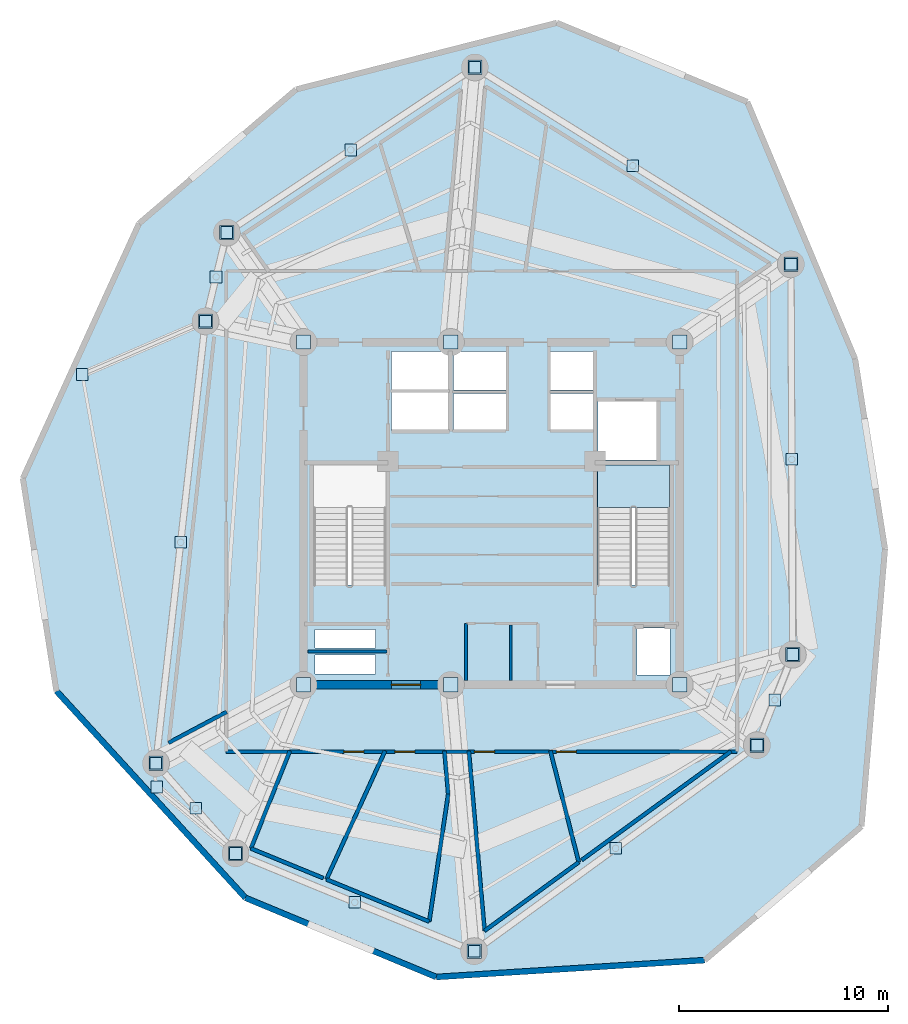
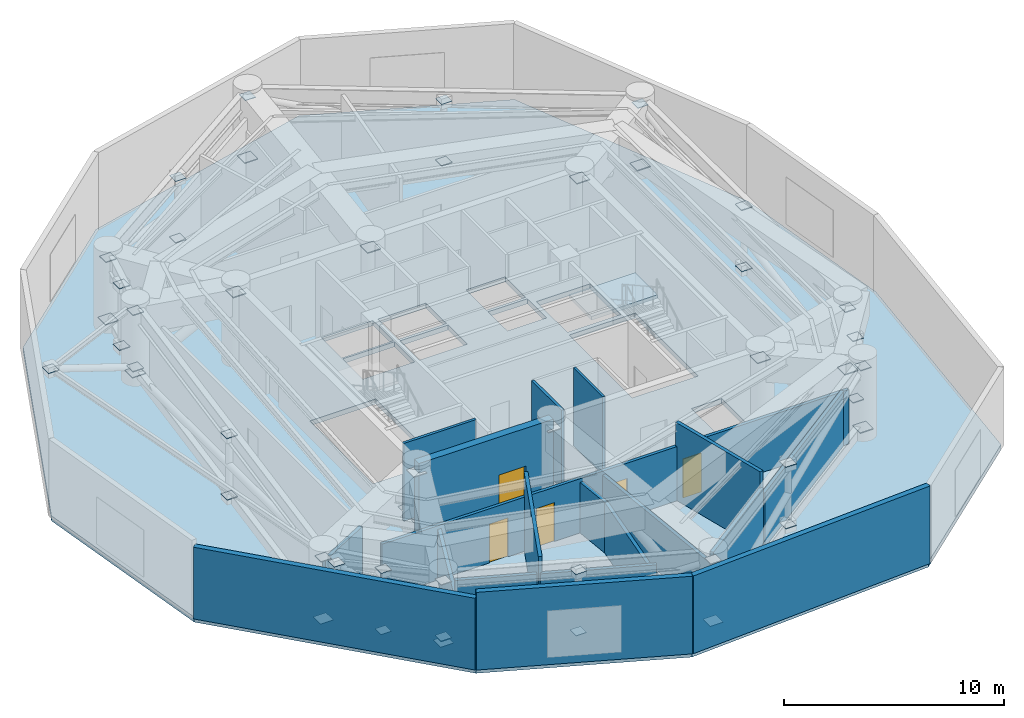
# One storey, part 5 of 11: 46 plates, 19 walls, 5 doors, 2 slabs, 5 openings, 1 element without a shape of its own.
"""IFC4 building model written with IfcOpenShell, lengths in metres."""

from ifc_helpers import new_model, si_unit, direction, frame, frame_2d, origin, origin_with_axes, origin_2d, place, context, subcontext, project, spatial, polyline, rectangle, outline, extrude, source, transform, mapped, material, layer, layer_set, type_object, element, fill, aggregate, save


model = new_model("IFC4")

# Units and contexts
model_context = context("Model", 3, precision=1e-05, world=origin(), true_north=direction((0.0, 1.0)))
body_context = subcontext(model_context, "Body", "Model", "MODEL_VIEW")
ifc_project = project(units=[si_unit("LENGTHUNIT", "METRE"), si_unit("AREAUNIT", "SQUARE_METRE"), si_unit("VOLUMEUNIT", "CUBIC_METRE"), si_unit("PLANEANGLEUNIT", "RADIAN"), si_unit("MASSUNIT", "GRAM", prefix="KILO")], contexts=[model_context])

# Site, building, storey
site_placement = place(None, origin())
site = spatial("IfcSite", under=ifc_project, at=site_placement, CompositionType="ELEMENT")
building_placement = place(site_placement, origin())
building = spatial("IfcBuilding", under=site, at=building_placement, Name="Karkom Vertical University and Central Library", CompositionType="ELEMENT")
storey_placement = place(building_placement, frame((0.0, 0.0, 208.39990234375)))
storey = spatial("IfcBuildingStorey", under=building, at=storey_placement, Name="P61", CompositionType="ELEMENT", Elevation=208.39990234375)

# Stair, slab
ifc_material_1 = material(Name="Concrete C45/55", Category="concrete")
stair_type = type_object("IfcStairType", Name="INT-STR-ST-MAIN", PredefinedType="HALF_TURN_STAIR", material=ifc_material_1)
stair_placement = place(storey_placement, origin())
stair = element("IfcStair", 1, at=stair_placement, inside=storey, type_object=stair_type, Name="Plant Level 61 Tower Protected Exit Stair ST-2", PredefinedType="HALF_TURN_STAIR")
ifc_layer_1 = layer(ifc_material_1, 0.199951171875)
ifc_layer_set_1 = layer_set([ifc_layer_1], Name="Concrete C45/55")
slab_type_1 = type_object("IfcSlabType", Name="INT-SLB-LANDING", PredefinedType="LANDING", material=ifc_layer_set_1)
slab_1_placement = place(storey_placement, frame((0.0, 0.0, 2.050048828125)))
slab_1 = element("IfcSlab", 2, at=slab_1_placement, type_object=slab_type_1, Name="ST-2 landing 1", PredefinedType="LANDING", context=body_context, shape_type="SweptSolid", body=[
    extrude(outline(polyline([(37.02001953125, 26.7900390625), (37.02001953125, 28.820068359375), (33.56005859375, 28.820068359375), (33.56005859375, 26.7900390625), (37.02001953125, 26.7900390625)])), origin(), (0.0, 0.0, 1.0), 0.199951171875),
])
aggregate(stair, [slab_1])

# Slab
ifc_layer_2 = layer(ifc_material_1, 0.27490234375)
ifc_layer_set_2 = layer_set([ifc_layer_2], Name="Concrete C45/55")
slab_type_2 = type_object("IfcSlabType", Name="STR-SLB-FLR-275", PredefinedType="FLOOR", material=ifc_layer_set_2)
slab_2_placement = place(storey_placement, frame((0.0, 0.0, -0.27490234375)))
element("IfcSlab", 3, at=slab_2_placement, inside=storey, type_object=slab_type_2, Name="Plant Level 61 Tower Structural Floor Slab", PredefinedType="FLOOR", context=body_context, shape_type="SweptSolid", body=[
    extrude(outline(polyline([(6.0712890625, 28.180419921875), (7.676513671875, 18.000244140625), (16.720703125, 8.1044921875), (25.846923828125, 4.3154296875), (38.697265625, 5.121337890625), (46.198974609375, 11.520751953125), (47.324462890625, 24.810546875), (45.891357421875, 33.899658203125), (40.731201171875, 46.1982421875), (31.62451171875, 49.97900390625), (19.14990234375, 46.7919921875), (11.632080078125, 40.37890625), (6.0712890625, 28.180419921875)]), holes=[polyline([(19.97998046875, 23.0849609375), (23.43994140625, 23.0849609375), (23.43994140625, 28.820068359375), (19.97998046875, 28.820068359375), (19.97998046875, 23.0849609375)]), polyline([(33.56005859375, 23.0849609375), (37.02001953125, 23.0849609375), (37.02001953125, 28.820068359375), (33.56005859375, 28.820068359375), (33.56005859375, 23.0849609375)]), polyline([(26.679931640625, 30.5), (29.199951171875, 30.5), (29.199951171875, 32.25), (26.679931640625, 32.25), (26.679931640625, 30.5)]), polyline([(26.679931640625, 32.39990234375), (29.199951171875, 32.39990234375), (29.199951171875, 34.25), (26.679931640625, 34.25), (26.679931640625, 32.39990234375)]), polyline([(31.300048828125, 30.5), (33.35009765625, 30.5), (33.35009765625, 32.25), (31.300048828125, 32.25), (31.300048828125, 30.5)]), polyline([(31.300048828125, 32.39990234375), (33.35009765625, 32.39990234375), (33.35009765625, 34.25), (31.300048828125, 34.25), (31.300048828125, 32.39990234375)]), polyline([(23.719970703125, 30.47998046875), (26.429931640625, 30.47998046875), (26.429931640625, 32.320068359375), (23.719970703125, 32.320068359375), (23.719970703125, 30.47998046875)]), polyline([(23.719970703125, 32.419921875), (26.429931640625, 32.419921875), (26.429931640625, 34.260009765625), (23.719970703125, 34.260009765625), (23.719970703125, 32.419921875)]), polyline([(33.60009765625, 29.050048828125), (36.39990234375, 29.050048828125), (36.39990234375, 31.85009765625), (33.60009765625, 31.85009765625), (33.60009765625, 29.050048828125)]), polyline([(20.050048828125, 18.820068359375), (22.949951171875, 18.820068359375), (22.949951171875, 19.719970703125), (20.050048828125, 19.719970703125), (20.050048828125, 18.820068359375)]), polyline([(20.050048828125, 20.06005859375), (22.949951171875, 20.06005859375), (22.949951171875, 20.9599609375), (20.050048828125, 20.9599609375), (20.050048828125, 20.06005859375)]), polyline([(35.4599609375, 18.760009765625), (37.0400390625, 18.760009765625), (37.0400390625, 21.010009765625), (35.4599609375, 21.010009765625), (35.4599609375, 18.760009765625)])]), origin(), (0.0, 0.0, 1.0), 0.27490234375),
])

# Plates
ifc_material_2 = material(Name="Steel S355", Category="steel")
ifc_layer_3 = layer(ifc_material_2, 0.028076171875)
ifc_layer_set_3 = layer_set([ifc_layer_3], Name="Steel S355")
plate_type_1 = type_object("IfcPlateType", Name="STR-PLT-GP-2", PredefinedType="USERDEFINED", material=ifc_layer_set_3)
shared_shape_1 = source(origin_with_axes(), body_context, "Body", "SweptSolid", [
    extrude(rectangle(XDim=0.56005859375, YDim=0.56005859375, at=origin_2d()), origin(), (0.0, 0.0, 1.0), 0.028076171875),
])
for number, where, z_axis, x_axis, name in (
    (4, (14.804931640625, 35.697998046875, 0.6162109375), (0.0, 0.0, 1.0), (1.0, 0.0, 0.0), "Plant Level 61 Node Gusset Cap Plate P61-SKG-KNEE-1 A"),
    (5, (8.9130859375, 33.153564453125, 4.12109375), (0.0, 0.0, 1.0), (1.0, 0.0, 0.0), "Plant Level 61 Node Gusset Cap Plate P61-SKG-KNEE-1 B"),
    (6, (16.240966796875, 10.23388671875, 0.6162109375), (0.0, 0.0, 1.0), (1.0, 0.0, 0.0), "Plant Level 61 Node Gusset Cap Plate P61-SKG-KNEE-2 A"),
    (7, (12.47900390625, 13.413818359375, 4.12109375), (0.0, 0.0, 1.0), (1.0, 0.0, 0.0), "Plant Level 61 Node Gusset Cap Plate P61-SKG-KNEE-2 B"),
    (8, (42.823974609375, 38.427978515625, 3.73583984375), (0.0, 0.0, 1.0), (1.0, 0.0, 0.0), "Plant Level 61 Node Gusset Cap Plate P61-BELT-BRACE-01 B"),
    (9, (42.866455078125, 29.08837890625, 0.3359375), (0.0, 0.0, 1.0), (1.0, 0.0, 0.0), "Plant Level 61 Node Gusset Cap Plate P61-BELT-POST-01 A"),
    (10, (42.866455078125, 29.08837890625, 3.73583984375), (0.0, 0.0, 1.0), (1.0, 0.0, 0.0), "Plant Level 61 Node Gusset Cap Plate P61-BELT-POST-01 B"),
    (11, (27.699951171875, 47.85009765625, 3.73583984375), (0.0, 0.0, 1.0), (1.0, 0.0, 0.0), "Plant Level 61 Node Gusset Cap Plate P61-BELT-BRACE-02 B"),
    (12, (35.261962890625, 43.138916015625, 0.3359375), (0.0, 0.0, 1.0), (1.0, 0.0, 0.0), "Plant Level 61 Node Gusset Cap Plate P61-BELT-POST-02 A"),
    (13, (35.261962890625, 43.138916015625, 3.73583984375), (0.0, 0.0, 1.0), (1.0, 0.0, 0.0), "Plant Level 61 Node Gusset Cap Plate P61-BELT-POST-02 B"),
    (14, (15.8291015625, 39.943115234375, 3.73583984375), (0.0, 0.0, 1.0), (1.0, 0.0, 0.0), "Plant Level 61 Node Gusset Cap Plate P61-BELT-BRACE-03 B"),
    (15, (21.764404296875, 43.896484375, 0.3359375), (0.0, 0.0, 1.0), (1.0, 0.0, 0.0), "Plant Level 61 Node Gusset Cap Plate P61-BELT-POST-03 A"),
    (16, (21.764404296875, 43.896484375, 3.73583984375), (0.0, 0.0, 1.0), (1.0, 0.0, 0.0), "Plant Level 61 Node Gusset Cap Plate P61-BELT-POST-03 B"),
    (17, (14.804931640625, 35.697998046875, 3.73583984375), (0.0, 0.0, 1.0), (1.0, 0.0, 0.0), "Plant Level 61 Node Gusset Cap Plate P61-BELT-BRACE-04 B"),
    (18, (15.31689453125, 37.820556640625, 0.3359375), (0.0, 0.0, 1.0), (1.0, 0.0, 0.0), "Plant Level 61 Node Gusset Cap Plate P61-BELT-POST-04 A"),
    (19, (15.31689453125, 37.820556640625, 3.73583984375), (0.0, 0.0, 1.0), (1.0, 0.0, 0.0), "Plant Level 61 Node Gusset Cap Plate P61-BELT-POST-04 B"),
    (20, (12.43603515625, 14.5439453125, 3.73583984375), (0.0, 0.0, 1.0), (1.0, 0.0, 0.0), "Plant Level 61 Node Gusset Cap Plate P61-BELT-BRACE-05 B"),
    (21, (13.62060546875, 25.12109375, 0.3359375), (0.0, 0.0, 1.0), (1.0, 0.0, 0.0), "Plant Level 61 Node Gusset Cap Plate P61-BELT-POST-05 A"),
    (22, (13.62060546875, 25.12109375, 3.73583984375), (0.0, 0.0, 1.0), (1.0, 0.0, 0.0), "Plant Level 61 Node Gusset Cap Plate P61-BELT-POST-05 B"),
    (23, (16.240966796875, 10.23388671875, 3.73583984375), (0.0, 0.0, 1.0), (1.0, 0.0, 0.0), "Plant Level 61 Node Gusset Cap Plate P61-BELT-BRACE-06 B"),
    (24, (14.33837890625, 12.388916015625, 0.3359375), (0.0, 0.0, 1.0), (1.0, 0.0, 0.0), "Plant Level 61 Node Gusset Cap Plate P61-BELT-POST-06 A"),
    (25, (14.33837890625, 12.388916015625, 3.73583984375), (0.0, 0.0, 1.0), (1.0, 0.0, 0.0), "Plant Level 61 Node Gusset Cap Plate P61-BELT-POST-06 B"),
    (26, (27.666015625, 5.549072265625, 3.73583984375), (0.0, 0.0, 1.0), (1.0, 0.0, 0.0), "Plant Level 61 Node Gusset Cap Plate P61-BELT-BRACE-07 B"),
    (27, (21.95361328125, 7.8916015625, 0.3359375), (0.0, 0.0, 1.0), (1.0, 0.0, 0.0), "Plant Level 61 Node Gusset Cap Plate P61-BELT-POST-07 A"),
    (28, (21.95361328125, 7.8916015625, 3.73583984375), (0.0, 0.0, 1.0), (1.0, 0.0, 0.0), "Plant Level 61 Node Gusset Cap Plate P61-BELT-POST-07 B"),
    (29, (41.2041015625, 15.406005859375, 3.73583984375), (0.0, 0.0, 1.0), (1.0, 0.0, 0.0), "Plant Level 61 Node Gusset Cap Plate P61-BELT-BRACE-08 B"),
    (30, (34.43505859375, 10.4775390625, 0.3359375), (0.0, 0.0, 1.0), (1.0, 0.0, 0.0), "Plant Level 61 Node Gusset Cap Plate P61-BELT-POST-08 A"),
    (31, (34.43505859375, 10.4775390625, 3.73583984375), (0.0, 0.0, 1.0), (1.0, 0.0, 0.0), "Plant Level 61 Node Gusset Cap Plate P61-BELT-POST-08 B"),
    (32, (42.908935546875, 19.7490234375, 3.73583984375), (0.0, 0.0, 1.0), (1.0, 0.0, 0.0), "Plant Level 61 Node Gusset Cap Plate P61-BELT-BRACE-09 B"),
    (33, (42.056396484375, 17.577392578125, 0.3359375), (0.0, 0.0, 1.0), (1.0, 0.0, 0.0), "Plant Level 61 Node Gusset Cap Plate P61-BELT-POST-09 A"),
    (34, (42.056396484375, 17.577392578125, 3.73583984375), (0.0, 0.0, 1.0), (1.0, 0.0, 0.0), "Plant Level 61 Node Gusset Cap Plate P61-BELT-POST-09 B"),
):
    element("IfcPlate", number, at=place(storey_placement, frame(where, z_axis=z_axis, x_axis=x_axis)), inside=storey, type_object=plate_type_1, Name=name, ObjectType="GUSSET PLATE", PredefinedType="USERDEFINED", context=body_context, shape_type="MappedRepresentation", body=[
        mapped(shared_shape_1, transform((0.0, 0.0, 0.0), scale=1.0)),
    ])
ifc_layer_4 = layer(ifc_material_2, 0.031982421875)
ifc_layer_set_4 = layer_set([ifc_layer_4], Name="Steel S355")
plate_type_2 = type_object("IfcPlateType", Name="STR-PLT-GP-1", PredefinedType="USERDEFINED", material=ifc_layer_set_4)
shared_shape_2 = source(origin_with_axes(), body_context, "Body", "SweptSolid", [
    extrude(rectangle(XDim=0.679931640625, YDim=0.679931640625, at=origin_2d()), origin(), (0.0, 0.0, 1.0), 0.031982421875),
])
for number, where, z_axis, x_axis, name in (
    (35, (42.908935546875, 19.7490234375, 0.333984375), (0.0, 0.0, 1.0), (1.0, 0.0, 0.0), "Plant Level 61 Node Gusset Cap Plate P61-BELT-BRACE-01 A"),
    (36, (42.823974609375, 38.427978515625, 0.333984375), (0.0, 0.0, 1.0), (1.0, 0.0, 0.0), "Plant Level 61 Node Gusset Cap Plate P61-BELT-CHORD-01 B"),
    (37, (27.699951171875, 47.85009765625, 0.333984375), (0.0, 0.0, 1.0), (1.0, 0.0, 0.0), "Plant Level 61 Node Gusset Cap Plate P61-BELT-CHORD-02 B"),
    (38, (15.8291015625, 39.943115234375, 0.333984375), (0.0, 0.0, 1.0), (1.0, 0.0, 0.0), "Plant Level 61 Node Gusset Cap Plate P61-BELT-CHORD-03 B"),
    (39, (14.804931640625, 35.697998046875, 0.333984375), (0.0, 0.0, 1.0), (1.0, 0.0, 0.0), "Plant Level 61 Node Gusset Cap Plate P61-BELT-CHORD-04 B"),
    (40, (12.43603515625, 14.5439453125, 0.333984375), (0.0, 0.0, 1.0), (1.0, 0.0, 0.0), "Plant Level 61 Node Gusset Cap Plate P61-BELT-CHORD-05 B"),
    (41, (16.240966796875, 10.23388671875, 0.333984375), (0.0, 0.0, 1.0), (1.0, 0.0, 0.0), "Plant Level 61 Node Gusset Cap Plate P61-BELT-CHORD-06 B"),
    (42, (27.666015625, 5.549072265625, 0.333984375), (0.0, 0.0, 1.0), (1.0, 0.0, 0.0), "Plant Level 61 Node Gusset Cap Plate P61-BELT-CHORD-07 B"),
    (43, (41.2041015625, 15.406005859375, 0.333984375), (0.0, 0.0, 1.0), (1.0, 0.0, 0.0), "Plant Level 61 Node Gusset Cap Plate P61-BELT-CHORD-08 B"),
    (44, (37.5, 18.300048828125, 3.73388671875), (0.0, 0.0, 1.0), (1.0, 0.0, 0.0), "Plant Level 61 Node Gusset Cap Plate P61-OUTRIGGER-BRACE-01 A"),
    (45, (37.5, 34.699951171875, 3.73388671875), (0.0, 0.0, 1.0), (1.0, 0.0, 0.0), "Plant Level 61 Node Gusset Cap Plate P61-OUTRIGGER-BRACE-02 A"),
    (46, (26.550048828125, 34.699951171875, 3.73388671875), (0.0, 0.0, 1.0), (1.0, 0.0, 0.0), "Plant Level 61 Node Gusset Cap Plate P61-OUTRIGGER-BRACE-03 A"),
    (47, (19.5, 34.699951171875, 3.73388671875), (0.0, 0.0, 1.0), (1.0, 0.0, 0.0), "Plant Level 61 Node Gusset Cap Plate P61-OUTRIGGER-BRACE-04 A"),
    (48, (19.5, 18.300048828125, 3.73388671875), (0.0, 0.0, 1.0), (1.0, 0.0, 0.0), "Plant Level 61 Node Gusset Cap Plate P61-OUTRIGGER-BRACE-06 A"),
    (49, (26.550048828125, 18.300048828125, 3.73388671875), (0.0, 0.0, 1.0), (1.0, 0.0, 0.0), "Plant Level 61 Node Gusset Cap Plate P61-OUTRIGGER-BRACE-08 A"),
):
    element("IfcPlate", number, at=place(storey_placement, frame(where, z_axis=z_axis, x_axis=x_axis)), inside=storey, type_object=plate_type_2, Name=name, ObjectType="GUSSET PLATE", PredefinedType="USERDEFINED", context=body_context, shape_type="MappedRepresentation", body=[
        mapped(shared_shape_2, transform((0.0, 0.0, 0.0), scale=1.0)),
    ])

# Walls
ifc_material_3 = material(Name="Brick-faced precast concrete C45/55", Category="masonry")
ifc_layer_5 = layer(ifc_material_3, 0.280029296875)
ifc_layer_set_5 = layer_set([ifc_layer_5], Name="Brick-faced precast concrete C45/55")
wall_type_1 = type_object("IfcWallType", Name="ENV-WL-BRK-280", PredefinedType="SOLIDWALL", material=ifc_layer_set_5)
wall_1_placement = place(storey_placement, frame((7.676513671875, 18.000244140625, 0.0), z_axis=(0.0, 0.0, 1.0), x_axis=(0.674632867411, -0.738153435411, 0.0)))
element("IfcWall", 50, at=wall_1_placement, inside=storey, type_object=wall_type_1, Name="Plant Level 61 Brick-Faced Precast Facade Wall 02", PredefinedType="SOLIDWALL", context=body_context, shape_type="SweptSolid", body=[
    extrude(rectangle(XDim=13.406005859375, YDim=0.280029296875, at=frame_2d((6.703125, 0.0))), origin(), (0.0, 0.0, 1.0), 3.97021484375),
])
wall_2_placement = place(storey_placement, frame((16.720703125, 8.1044921875, 0.0), z_axis=(0.0, 0.0, 1.0), x_axis=(0.923562279811, -0.383448451959, 0.0)))
element("IfcWall", 51, at=wall_2_placement, inside=storey, type_object=wall_type_1, Name="Plant Level 61 Brick-Faced Precast Facade Wall 03", PredefinedType="SOLIDWALL", context=body_context, shape_type="SweptSolid", body=[
    extrude(rectangle(XDim=9.881591796875, YDim=0.280029296875, at=frame_2d((4.94091796875, 0.0))), origin(), (0.0, 0.0, 1.0), 4.300048828125),
])
wall_3_placement = place(storey_placement, frame((25.846923828125, 4.3154296875, 0.0), z_axis=(0.0, 0.0, 1.0), x_axis=(0.998039201395, 0.062591952195, 0.0)))
element("IfcWall", 52, at=wall_3_placement, inside=storey, type_object=wall_type_1, Name="Plant Level 61 Brick-Faced Precast Facade Wall 04", PredefinedType="SOLIDWALL", context=body_context, shape_type="SweptSolid", body=[
    extrude(rectangle(XDim=12.87548828125, YDim=0.280029296875, at=frame_2d((6.437744140625, 0.0))), origin(), (0.0, 0.0, 1.0), 4.300048828125),
])

# Wall, openings, doors
ifc_material_4 = material(Name="Insulated metal-stud drywall 160mm", Category="gypsum")
ifc_layer_6 = layer(ifc_material_4, 0.159912109375)
ifc_layer_set_6 = layer_set([ifc_layer_6], Name="Insulated metal-stud drywall 160mm")
wall_type_2 = type_object("IfcWallType", Name="INT-WL-COR-160F", PredefinedType="PARTITIONING", material=ifc_layer_set_6)
wall_4_placement = place(storey_placement, frame((40.25, 15.10009765625, 0.0), z_axis=(0.0, 0.0, 1.0), x_axis=(-1.0, 0.0, 0.0)))
wall_4 = element("IfcWall", 53, at=wall_4_placement, inside=storey, type_object=wall_type_2, Name="Plant Level 61 Interior Partition Wall P61-PCORW-CW-001", PredefinedType="PARTITIONING", context=body_context, shape_type="SweptSolid", body=[
    extrude(rectangle(XDim=24.449951171875, YDim=0.159912109375, at=frame_2d((12.22509765625, 0.0))), origin(), (0.0, 0.0, 1.0), 3.0),
])
opening_1_placement = place(wall_4_placement, frame((15.41748046875, 0.0, 0.0)))
opening_1 = element("IfcOpeningElement", 54, at=opening_1_placement, cuts=wall_4, Name="Opening FD-RM1", PredefinedType="OPENING", context=body_context, shape_type="SweptSolid", body=[
    extrude(rectangle(XDim=0.9599609375, YDim=2.14990234375, at=frame_2d((0.47998046875, 1.074951171875))), frame((0.0, 0.08984375, 0.0), z_axis=(0.0, -1.0, 0.0), x_axis=(1.0, 0.0, 0.0)), (0.0, 0.0, 1.0), 0.179931640625),
])
opening_2_placement = place(wall_4_placement, frame((11.610107421875, 0.0, 0.0)))
opening_2 = element("IfcOpeningElement", 55, at=opening_2_placement, cuts=wall_4, Name="Opening FD-RM1", PredefinedType="OPENING", context=body_context, shape_type="SweptSolid", body=[
    extrude(rectangle(XDim=0.9599609375, YDim=2.14990234375, at=frame_2d((0.47998046875, 1.074951171875))), frame((0.0, 0.08984375, 0.0), z_axis=(0.0, -1.0, 0.0), x_axis=(1.0, 0.0, 0.0)), (0.0, 0.0, 1.0), 0.179931640625),
])
opening_3_placement = place(wall_4_placement, frame((17.862548828125, 0.0, 0.0)))
opening_3 = element("IfcOpeningElement", 56, at=opening_3_placement, cuts=wall_4, Name="Opening FD-RM1", PredefinedType="OPENING", context=body_context, shape_type="SweptSolid", body=[
    extrude(rectangle(XDim=0.9599609375, YDim=2.14990234375, at=frame_2d((0.47998046875, 1.074951171875))), frame((0.0, 0.08984375, 0.0), z_axis=(0.0, -1.0, 0.0), x_axis=(1.0, 0.0, 0.0)), (0.0, 0.0, 1.0), 0.179931640625),
])
opening_4_placement = place(wall_4_placement, frame((7.6923828125, 0.0, 0.0)))
opening_4 = element("IfcOpeningElement", 57, at=opening_4_placement, cuts=wall_4, Name="Opening FD-RM1", PredefinedType="OPENING", context=body_context, shape_type="SweptSolid", body=[
    extrude(rectangle(XDim=0.9599609375, YDim=2.14990234375, at=frame_2d((0.47998046875, 1.074951171875))), frame((0.0, 0.08984375, 0.0), z_axis=(0.0, -1.0, 0.0), x_axis=(1.0, 0.0, 0.0)), (0.0, 0.0, 1.0), 0.179931640625),
])
ifc_material_5 = material(Name="Fire-rated oak veneer door", Category="wood")
door_type_1 = type_object("IfcDoorType", Name="INT-DR-FRM1", OperationType="NOTDEFINED", PredefinedType="DOOR", material=ifc_material_5)
shared_shape_3 = source(origin_with_axes(), body_context, "Body", "SweptSolid", [
    extrude(rectangle(XDim=0.9599609375, YDim=2.14990234375, at=frame_2d((0.47998046875, 1.074951171875))), frame((0.0, 0.02490234375, 0.0), z_axis=(0.0, -1.0, 0.0), x_axis=(1.0, 0.0, 0.0)), (0.0, 0.0, 1.0), 0.050048828125),
])
door_1_placement = place(opening_1_placement, origin())
door_1 = element("IfcDoor", 58, at=door_1_placement, inside=storey, type_object=door_type_1, Name="Plant Level 61 Room Entry Door 702", OperationType="SINGLE_SWING_LEFT", OverallHeight=2.14990234375, OverallWidth=0.9599609375, PredefinedType="DOOR", context=body_context, shape_type="MappedRepresentation", body=[
    mapped(shared_shape_3, transform((0.0, 0.0, 0.0), scale=1.0)),
])
fill(opening_1, door_1)
door_2_placement = place(opening_2_placement, origin())
door_2 = element("IfcDoor", 59, at=door_2_placement, inside=storey, type_object=door_type_1, Name="Plant Level 61 Room Entry Door 703", OperationType="SINGLE_SWING_RIGHT", OverallHeight=2.14990234375, OverallWidth=0.9599609375, PredefinedType="DOOR", context=body_context, shape_type="MappedRepresentation", body=[
    mapped(shared_shape_3, transform((0.0, 0.0, 0.0), scale=1.0)),
])
fill(opening_2, door_2)
door_3_placement = place(opening_3_placement, origin())
door_3 = element("IfcDoor", 60, at=door_3_placement, inside=storey, type_object=door_type_1, Name="Plant Level 61 Room Entry Door 701", OperationType="SINGLE_SWING_RIGHT", OverallHeight=2.14990234375, OverallWidth=0.9599609375, PredefinedType="DOOR", context=body_context, shape_type="MappedRepresentation", body=[
    mapped(shared_shape_3, transform((0.0, 0.0, 0.0), scale=1.0)),
])
fill(opening_3, door_3)
door_4_placement = place(opening_4_placement, origin())
door_4 = element("IfcDoor", 61, at=door_4_placement, inside=storey, type_object=door_type_1, Name="Plant Level 61 Room Entry Door 704", OperationType="SINGLE_SWING_LEFT", OverallHeight=2.14990234375, OverallWidth=0.9599609375, PredefinedType="DOOR", context=body_context, shape_type="MappedRepresentation", body=[
    mapped(shared_shape_3, transform((0.0, 0.0, 0.0), scale=1.0)),
])
fill(opening_4, door_4)

# Walls
ifc_material_6 = material(Name="Moisture-resistant drywall 120mm", Category="gypsum")
ifc_layer_7 = layer(ifc_material_6, 0.1201171875)
ifc_layer_set_7 = layer_set([ifc_layer_7], Name="Moisture-resistant drywall 120mm")
wall_type_3 = type_object("IfcWallType", Name="INT-WL-INT-120", PredefinedType="PARTITIONING", material=ifc_layer_set_7)
wall_5_placement = place(storey_placement, frame((29.419921875, 18.507080078125, 0.0), z_axis=(0.0, 0.0, 1.0), x_axis=(0.0, 1.0, 0.0)))
element("IfcWall", 62, at=wall_5_placement, inside=storey, type_object=wall_type_3, Name="Plant Level 61 Interior Partition Wall P61-CW-K3-DIV", PredefinedType="PARTITIONING", context=body_context, shape_type="SweptSolid", body=[
    extrude(rectangle(XDim=2.66162109375, YDim=0.1201171875, at=frame_2d((1.330810546875, 0.0))), origin(), (0.0, 0.0, 1.0), 4.300048828125),
])
ifc_material_7 = material(Name="Metal-stud gypsum partition 140mm", Category="gypsum")
ifc_layer_8 = layer(ifc_material_7, 0.139892578125)
ifc_layer_set_8 = layer_set([ifc_layer_8], Name="Metal-stud gypsum partition 140mm")
wall_type_4 = type_object("IfcWallType", Name="INT-WL-SUB-140", PredefinedType="PARTITIONING", material=ifc_layer_set_8)
wall_6_placement = place(storey_placement, frame((27.280029296875, 18.507080078125, 0.0), z_axis=(0.0, 0.0, 1.0), x_axis=(0.0, 1.0, 0.0)))
element("IfcWall", 63, at=wall_6_placement, inside=storey, type_object=wall_type_4, Name="Plant Level 61 Interior Partition Wall P61-CW-KBAY-W", PredefinedType="PARTITIONING", context=body_context, shape_type="SweptSolid", body=[
    extrude(rectangle(XDim=2.73291015625, YDim=0.139892578125, at=frame_2d((1.366455078125, 0.0))), origin(), (0.0, 0.0, 1.0), 4.300048828125),
])
ifc_layer_9 = layer(ifc_material_7, 0.139892578125)
ifc_layer_set_9 = layer_set([ifc_layer_9], Name="Metal-stud gypsum partition 140mm")
wall_type_5 = type_object("IfcWallType", Name="INT-WL-SUB-140H", PredefinedType="PARTITIONING", material=ifc_layer_set_9)
wall_7_placement = place(storey_placement, frame((19.70703125, 19.889892578125, 0.0), z_axis=(0.0, 0.0, 1.0), x_axis=(1.0, 0.0, 0.0)))
element("IfcWall", 64, at=wall_7_placement, inside=storey, type_object=wall_type_5, Name="Plant Level 61 Interior Partition Wall P61-CW-RIS-W", PredefinedType="PARTITIONING", context=body_context, shape_type="SweptSolid", body=[
    extrude(rectangle(XDim=3.789794921875, YDim=0.139892578125, at=frame_2d((1.89501953125, 0.0))), origin(), (0.0, 0.0, 1.0), 4.300048828125),
])
ifc_material_8 = material(Name="Twin-stud acoustic drywall 180mm", Category="gypsum")
ifc_layer_10 = layer(ifc_material_8, 0.179931640625)
ifc_layer_set_10 = layer_set([ifc_layer_10], Name="Twin-stud acoustic drywall 180mm")
wall_type_6 = type_object("IfcWallType", Name="INT-WL-TEN-180F", PredefinedType="PARTITIONING", material=ifc_layer_set_10)
wall_8_placement = place(storey_placement, frame((39.95849609375, 15.11767578125, 0.0), z_axis=(0.0, 0.0, 1.0), x_axis=(-0.808425512076, -0.58859849764, 0.0)))
element("IfcWall", 65, at=wall_8_placement, inside=storey, type_object=wall_type_6, Name="Plant Level 61 Interior Partition Wall P61-PLCHW-014", PredefinedType="PARTITIONING", context=body_context, shape_type="SweptSolid", body=[
    extrude(rectangle(XDim=8.841552734375, YDim=0.179931640625, at=frame_2d((4.4208984375, 0.0))), origin(), (0.0, 0.0, 1.0), 3.0),
])
wall_9_placement = place(storey_placement, frame((28.16259765625, 6.529052734375, 0.0), z_axis=(0.0, 0.0, 1.0), x_axis=(-0.087207991911, 0.996190125502, 0.0)))
element("IfcWall", 66, at=wall_9_placement, inside=storey, type_object=wall_type_6, Name="Plant Level 61 Interior Partition Wall P61-PLCHW-011", PredefinedType="PARTITIONING", context=body_context, shape_type="SweptSolid", body=[
    extrude(rectangle(XDim=8.6337890625, YDim=0.179931640625, at=frame_2d((4.31689453125, 0.0))), origin(), (0.0, 0.0, 1.0), 2.800048828125),
])
wall_10_placement = place(storey_placement, frame((20.596923828125, 8.98828125, 0.0), z_axis=(0.0, 0.0, 1.0), x_axis=(0.415148820151, 0.90975351449, 0.0)))
element("IfcWall", 67, at=wall_10_placement, inside=storey, type_object=wall_type_6, Name="Plant Level 61 Interior Partition Wall P61-PLCHW-009", PredefinedType="PARTITIONING", context=body_context, shape_type="SweptSolid", body=[
    extrude(rectangle(XDim=6.762939453125, YDim=0.179931640625, at=frame_2d((3.38134765625, 0.0))), origin(), (0.0, 0.0, 1.0), 4.300048828125),
])
wall_11_placement = place(storey_placement, frame((26.4248046875, 13.0791015625, 0.0), z_axis=(0.0, 0.0, 1.0), x_axis=(-0.146987075097, -0.989138412839, 0.0)))
element("IfcWall", 68, at=wall_11_placement, inside=storey, type_object=wall_type_6, Name="Plant Level 61 Interior Partition Wall P61-PLCHW-007", PredefinedType="PARTITIONING", context=body_context, shape_type="SweptSolid", body=[
    extrude(rectangle(XDim=6.175537109375, YDim=0.179931640625, at=frame_2d((3.087890625, 0.0))), origin(), (0.0, 0.0, 1.0), 2.800048828125),
])
wall_12_placement = place(storey_placement, frame((32.671630859375, 9.81201171875, 0.0), z_axis=(0.0, 0.0, 1.0), x_axis=(-0.8084236517, -0.588601052813, 0.0)))
element("IfcWall", 69, at=wall_12_placement, inside=storey, type_object=wall_type_6, Name="Plant Level 61 Interior Partition Wall P61-PLCHW-010", PredefinedType="PARTITIONING", context=body_context, shape_type="SweptSolid", body=[
    extrude(rectangle(XDim=5.57763671875, YDim=0.179931640625, at=frame_2d((2.788818359375, 0.0))), origin(), (0.0, 0.0, 1.0), 3.400146484375),
])
wall_13_placement = place(storey_placement, frame((31.3125, 15.1435546875, 0.0), z_axis=(0.0, 0.0, 1.0), x_axis=(0.247022495329, -0.969009745463, 0.0)))
element("IfcWall", 70, at=wall_13_placement, inside=storey, type_object=wall_type_6, Name="Plant Level 61 Interior Partition Wall P61-PLCHW-013", PredefinedType="PARTITIONING", context=body_context, shape_type="SweptSolid", body=[
    extrude(rectangle(XDim=5.501953125, YDim=0.179931640625, at=frame_2d((2.7509765625, 0.0))), origin(), (0.0, 0.0, 1.0), 4.300048828125),
])
wall_14_placement = place(storey_placement, frame((25.51708984375, 6.970703125, 0.0), z_axis=(0.0, 0.0, 1.0), x_axis=(-0.925231438557, 0.379403195962, 0.0)))
element("IfcWall", 71, at=wall_14_placement, inside=storey, type_object=wall_type_6, Name="Plant Level 61 Interior Partition Wall P61-PLCHW-008", PredefinedType="PARTITIONING", context=body_context, shape_type="SweptSolid", body=[
    extrude(rectangle(XDim=5.31787109375, YDim=0.179931640625, at=frame_2d((2.658935546875, 0.0))), origin(), (0.0, 0.0, 1.0), 3.400146484375),
])
wall_15_placement = place(storey_placement, frame((16.98095703125, 10.470947265625, 0.0), z_axis=(0.0, 0.0, 1.0), x_axis=(0.371357206638, 0.928490078072, 0.0)))
element("IfcWall", 72, at=wall_15_placement, inside=storey, type_object=wall_type_6, Name="Plant Level 61 Interior Partition Wall P61-PLCHW-005", PredefinedType="PARTITIONING", context=body_context, shape_type="SweptSolid", body=[
    extrude(rectangle(XDim=5.030517578125, YDim=0.179931640625, at=frame_2d((2.51513671875, 0.0))), origin(), (0.0, 0.0, 1.0), 2.800048828125),
])
wall_16_placement = place(storey_placement, frame((20.44873046875, 9.049072265625, 0.0), z_axis=(0.0, 0.0, 1.0), x_axis=(-0.925243674006, 0.379373356619, 0.0)))
element("IfcWall", 73, at=wall_16_placement, inside=storey, type_object=wall_type_6, Name="Plant Level 61 Interior Partition Wall P61-PLCHW-004", PredefinedType="PARTITIONING", context=body_context, shape_type="SweptSolid", body=[
    extrude(rectangle(XDim=3.748046875, YDim=0.179931640625, at=frame_2d((1.8740234375, 0.0))), origin(), (0.0, 0.0, 1.0), 3.400146484375),
])
wall_17_placement = place(storey_placement, frame((15.826416015625, 17.003662109375, 0.0), z_axis=(0.0, 0.0, 1.0), x_axis=(-0.882921683939, -0.469520287134, 0.0)))
element("IfcWall", 74, at=wall_17_placement, inside=storey, type_object=wall_type_6, Name="Plant Level 61 Interior Partition Wall P61-PLCHW-001", PredefinedType="PARTITIONING", context=body_context, shape_type="SweptSolid", body=[
    extrude(rectangle(XDim=3.145263671875, YDim=0.179931640625, at=frame_2d((1.57275390625, 0.0))), origin(), (0.0, 0.0, 1.0), 2.800048828125),
])
wall_18_placement = place(storey_placement, frame((26.245361328125, 15.1298828125, 0.0), z_axis=(0.0, 0.0, 1.0), x_axis=(0.087166950281, -0.996193717496, 0.0)))
element("IfcWall", 75, at=wall_18_placement, inside=storey, type_object=wall_type_6, Name="Plant Level 61 Interior Partition Wall P61-PLCHW-006", PredefinedType="PARTITIONING", context=body_context, shape_type="SweptSolid", body=[
    extrude(rectangle(XDim=2.05859375, YDim=0.179931640625, at=frame_2d((1.029296875, 0.0))), origin(), (0.0, 0.0, 1.0), 2.800048828125),
])

# Wall, opening, door
ifc_material_9 = material(Name="Concrete C50/60", Category="concrete")
ifc_layer_11 = layer(ifc_material_9, 0.39990234375)
ifc_layer_set_11 = layer_set([ifc_layer_11], Name="Concrete C50/60")
wall_type_7 = type_object("IfcWallType", Name="STR-WL-CW-400", PredefinedType="SHEAR", material=ifc_layer_set_11)
wall_19_placement = place(storey_placement, frame((19.5, 18.300048828125, 0.0), z_axis=(0.0, 0.0, 1.0), x_axis=(1.0, 0.0, 0.0)))
wall_19 = element("IfcWall", 76, at=wall_19_placement, inside=storey, type_object=wall_type_7, Name="Plant Level 61 Central Core Shear Wall SW1", PredefinedType="SHEAR", context=body_context, shape_type="SweptSolid", body=[
    extrude(rectangle(XDim=7.050048828125, YDim=0.39990234375, at=frame_2d((3.52490234375, 0.0))), origin(), (0.0, 0.0, 1.0), 4.300048828125),
])
opening_5_placement = place(wall_19_placement, frame((4.199951171875, 0.0, 0.0)))
opening_5 = element("IfcOpeningElement", 77, at=opening_5_placement, cuts=wall_19, Name="Opening FD-CLB", PredefinedType="OPENING", context=body_context, shape_type="SweptSolid", body=[
    extrude(rectangle(XDim=1.39990234375, YDim=2.199951171875, at=frame_2d((0.699951171875, 1.10009765625))), frame((0.0, 0.2099609375, 0.0), z_axis=(0.0, -1.0, 0.0), x_axis=(1.0, 0.0, 0.0)), (0.0, 0.0, 1.0), 0.419921875),
])
ifc_material_10 = material(Name="Painted steel fire door", Category="steel")
door_type_2 = type_object("IfcDoorType", Name="INT-DR-CLB", OperationType="DOUBLE_DOOR_SINGLE_SWING", PredefinedType="DOOR", material=ifc_material_10)
shared_shape_4 = source(origin_with_axes(), body_context, "Body", "SweptSolid", [
    extrude(rectangle(XDim=1.39990234375, YDim=2.199951171875, at=frame_2d((0.699951171875, 1.10009765625))), frame((0.0, 0.02490234375, 0.0), z_axis=(0.0, -1.0, 0.0), x_axis=(1.0, 0.0, 0.0)), (0.0, 0.0, 1.0), 0.050048828125),
])
door_5_placement = place(opening_5_placement, origin())
door_5 = element("IfcDoor", 78, at=door_5_placement, inside=storey, type_object=door_type_2, Name="Plant Level 61 South Core Lobby West Exit Door", OperationType="DOUBLE_DOOR_SINGLE_SWING", OverallHeight=2.199951171875, OverallWidth=1.39990234375, PredefinedType="DOOR", context=body_context, shape_type="MappedRepresentation", body=[
    mapped(shared_shape_4, transform((0.0, 0.0, 0.0), scale=1.0)),
])
fill(opening_5, door_5)

save(model, "model.ifc")
